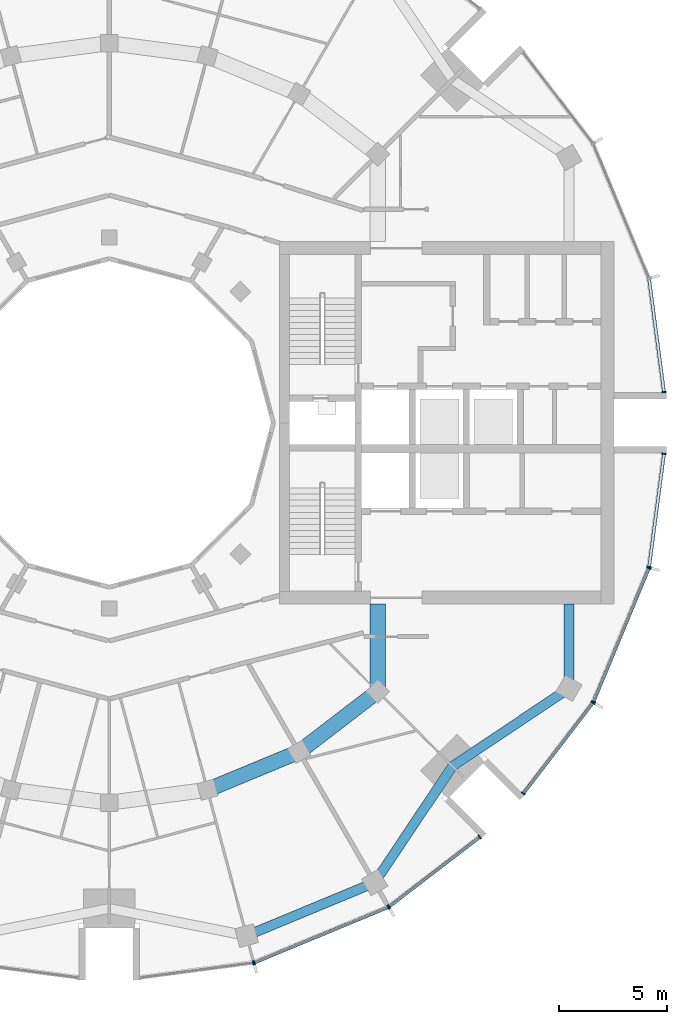
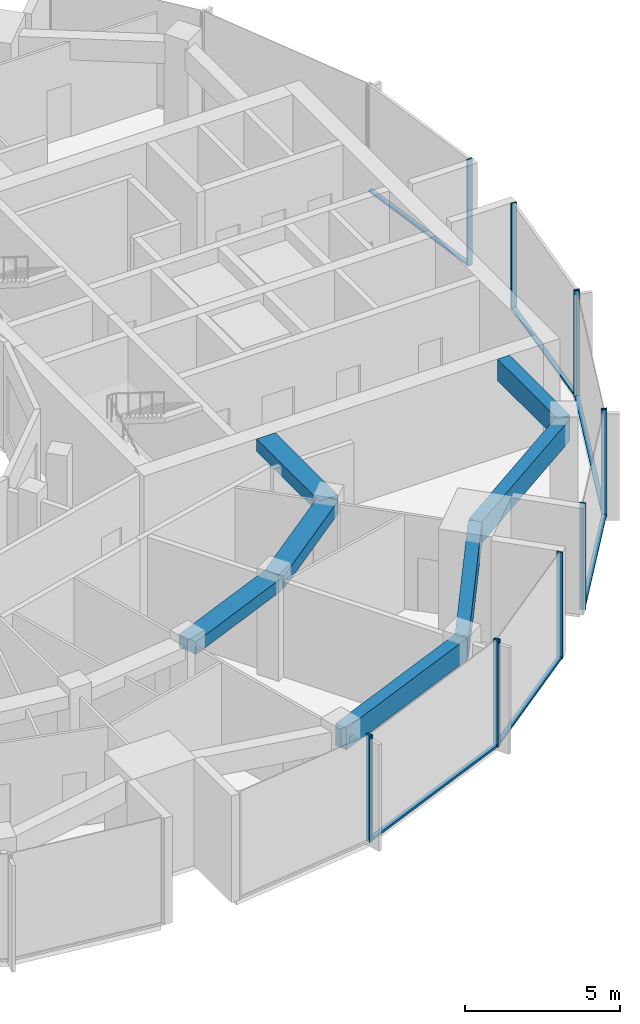
# One storey, part 4 of 15: 18 members, 7 beams, 7 elements without a shape of their own.
"""IFC4 building model written with IfcOpenShell, lengths in metres."""

from ifc_helpers import new_model, si_unit, direction, frame, origin, origin_2d, place, context, subcontext, project, spatial, rectangle, extrude, material, layer, layer_set, material_profile, profile_set, type_object, element, aggregate, save


model = new_model("IFC4")

# Units and contexts
model_context = context("Model", 3, precision=1e-05, world=origin(), true_north=direction((0.0, 1.0)))
body_context = subcontext(model_context, "Body", "Model", "MODEL_VIEW")
ifc_project = project(units=[si_unit("LENGTHUNIT", "METRE"), si_unit("AREAUNIT", "SQUARE_METRE"), si_unit("VOLUMEUNIT", "CUBIC_METRE"), si_unit("PLANEANGLEUNIT", "RADIAN"), si_unit("MASSUNIT", "GRAM", prefix="KILO")], contexts=[model_context])

# Site, building, storey
site_placement = place(None, origin())
site = spatial("IfcSite", under=ifc_project, at=site_placement, CompositionType="ELEMENT")
building_placement = place(site_placement, origin())
building = spatial("IfcBuilding", under=site, at=building_placement, Name="Torre Brocal", CompositionType="ELEMENT")
storey_placement = place(building_placement, frame((0.0, 0.0, 216.699951171875)))
storey = spatial("IfcBuildingStorey", under=building, at=storey_placement, Name="L50", CompositionType="ELEMENT", Elevation=216.699951171875)

# Curtain wall, member
ifc_material_1 = material(Name="Aluminium and glass", Category="aluminium")
ifc_layer_1 = layer(ifc_material_1, 0.199951171875)
ifc_layer_set_1 = layer_set([ifc_layer_1], Name="Aluminium and glass")
curtain_wall_type_1 = type_object("IfcCurtainWallType", Name="CW-1 CURTAIN WALL 4200 HIGH", PredefinedType="NOTDEFINED", material=ifc_layer_set_1)
curtain_wall_1_placement = place(storey_placement, origin())
curtain_wall_1 = element("IfcCurtainWall", 1, at=curtain_wall_1_placement, inside=storey, type_object=curtain_wall_type_1, Name="CW-1 RUN 19", PredefinedType="NOTDEFINED")
ifc_material_2 = material(Name="Aluminium, dark anodised", Category="aluminium")
ifc_material_profile_1 = material_profile(ifc_material_2, rectangle(XDim=0.199951171875, YDim=0.06005859375, at=origin_2d()), Name="CW-1 MULLION 60X200")
ifc_profile_set_1 = profile_set([ifc_material_profile_1], Name="Aluminium, dark anodised")
member_type_1 = type_object("IfcMemberType", Name="CW-1 MULLION 60X200", PredefinedType="MULLION", material=ifc_profile_set_1)
member_1_placement = place(storey_placement, frame((86.67333984375, 49.9794921875, 0.0), z_axis=(0.0, 0.0, 1.0), x_axis=(-0.13052619222, 0.991444861374, 0.0)))
member_1 = element("IfcMember", 2, at=member_1_placement, type_object=member_type_1, Name="CW1-5 mullion 2", PredefinedType="MULLION", context=body_context, shape_type="SweptSolid", body=[
    extrude(rectangle(XDim=0.199951171875, YDim=0.06005859375, at=origin_2d()), origin(), (0.0, 0.0, 1.0), 4.199951171875),
])
aggregate(curtain_wall_1, [member_1])

# Curtain wall, members
curtain_wall_2_placement = place(storey_placement, origin())
curtain_wall_2 = element("IfcCurtainWall", 3, at=curtain_wall_2_placement, inside=storey, type_object=curtain_wall_type_1, Name="CW-1 RUN 20", PredefinedType="NOTDEFINED")
member_2_placement = place(storey_placement, frame((86.73095703125, 49.994873046875, 0.0), z_axis=(0.0, 0.0, 1.0), x_axis=(-0.382683432333, 0.923879532525, 0.0)))
member_2 = element("IfcMember", 4, at=member_2_placement, type_object=member_type_1, Name="CW1-5 mullion 1", PredefinedType="MULLION", context=body_context, shape_type="SweptSolid", body=[
    extrude(rectangle(XDim=0.199951171875, YDim=0.06005859375, at=origin_2d()), origin(), (0.0, 0.0, 1.0), 4.199951171875),
])
member_3_placement = place(storey_placement, frame((92.921875, 52.559326171875, 0.0), z_axis=(0.0, 0.0, 1.0), x_axis=(-0.382683432333, 0.923879532525, 0.0)))
member_3 = element("IfcMember", 5, at=member_3_placement, type_object=member_type_1, Name="CW1-5 mullion 2", PredefinedType="MULLION", context=body_context, shape_type="SweptSolid", body=[
    extrude(rectangle(XDim=0.199951171875, YDim=0.06005859375, at=origin_2d()), origin(), (0.0, 0.0, 1.0), 4.199951171875),
])

curtain_wall_3_placement = place(storey_placement, origin())
curtain_wall_3 = element("IfcCurtainWall", 6, at=curtain_wall_3_placement, inside=storey, type_object=curtain_wall_type_1, Name="CW-1 RUN 21", PredefinedType="NOTDEFINED")
member_4_placement = place(storey_placement, frame((92.973388671875, 52.5888671875, 0.0), z_axis=(0.0, 0.0, 1.0), x_axis=(-0.60876142905, 0.793353340259, 0.0)))
member_4 = element("IfcMember", 7, at=member_4_placement, type_object=member_type_1, Name="CW1-5 mullion 1", PredefinedType="MULLION", context=body_context, shape_type="SweptSolid", body=[
    extrude(rectangle(XDim=0.199951171875, YDim=0.06005859375, at=origin_2d()), origin(), (0.0, 0.0, 1.0), 4.199951171875),
])
member_5_placement = place(storey_placement, frame((97.16943359375, 55.80859375, 0.0), z_axis=(0.0, 0.0, 1.0), x_axis=(-0.60876142905, 0.793353340259, 0.0)))
member_5 = element("IfcMember", 8, at=member_5_placement, type_object=member_type_1, Name="CW1-5 mullion 2", PredefinedType="MULLION", context=body_context, shape_type="SweptSolid", body=[
    extrude(rectangle(XDim=0.199951171875, YDim=0.06005859375, at=origin_2d()), origin(), (0.0, 0.0, 1.0), 4.199951171875),
])

curtain_wall_4_placement = place(storey_placement, origin())
curtain_wall_4 = element("IfcCurtainWall", 9, at=curtain_wall_4_placement, inside=storey, type_object=curtain_wall_type_1, Name="CW-1 RUN 22", PredefinedType="NOTDEFINED")
member_6_placement = place(storey_placement, frame((99.19140625, 57.83056640625, 0.0), z_axis=(0.0, 0.0, 1.0), x_axis=(-0.793353340259, 0.60876142905, 0.0)))
member_6 = element("IfcMember", 10, at=member_6_placement, type_object=member_type_1, Name="CW1-5 mullion 1", PredefinedType="MULLION", context=body_context, shape_type="SweptSolid", body=[
    extrude(rectangle(XDim=0.199951171875, YDim=0.06005859375, at=origin_2d()), origin(), (0.0, 0.0, 1.0), 4.199951171875),
])
member_7_placement = place(storey_placement, frame((102.4111328125, 62.026611328125, 0.0), z_axis=(0.0, 0.0, 1.0), x_axis=(-0.793353340259, 0.60876142905, 0.0)))
member_7 = element("IfcMember", 11, at=member_7_placement, type_object=member_type_1, Name="CW1-5 mullion 2", PredefinedType="MULLION", context=body_context, shape_type="SweptSolid", body=[
    extrude(rectangle(XDim=0.199951171875, YDim=0.06005859375, at=origin_2d()), origin(), (0.0, 0.0, 1.0), 4.199951171875),
])

curtain_wall_5_placement = place(storey_placement, origin())
curtain_wall_5 = element("IfcCurtainWall", 12, at=curtain_wall_5_placement, inside=storey, type_object=curtain_wall_type_1, Name="CW-1 RUN 23", PredefinedType="NOTDEFINED")
member_8_placement = place(storey_placement, frame((102.440673828125, 62.078125, 0.0), z_axis=(0.0, 0.0, 1.0), x_axis=(-0.923879532525, 0.382683432333, 0.0)))
member_8 = element("IfcMember", 13, at=member_8_placement, type_object=member_type_1, Name="CW1-5 mullion 1", PredefinedType="MULLION", context=body_context, shape_type="SweptSolid", body=[
    extrude(rectangle(XDim=0.199951171875, YDim=0.06005859375, at=origin_2d()), origin(), (0.0, 0.0, 1.0), 4.199951171875),
])
member_9_placement = place(storey_placement, frame((105.005126953125, 68.26904296875, 0.0), z_axis=(0.0, 0.0, 1.0), x_axis=(-0.923879532525, 0.382683432333, 0.0)))
member_9 = element("IfcMember", 14, at=member_9_placement, type_object=member_type_1, Name="CW1-5 mullion 2", PredefinedType="MULLION", context=body_context, shape_type="SweptSolid", body=[
    extrude(rectangle(XDim=0.199951171875, YDim=0.06005859375, at=origin_2d()), origin(), (0.0, 0.0, 1.0), 4.199951171875),
])

# Member
ifc_material_3 = material(Name="Aluminium, dark anodised", Category="aluminium")
ifc_material_profile_2 = material_profile(ifc_material_3, rectangle(XDim=0.159912109375, YDim=0.080078125, at=origin_2d()), Name="CW-1 TRANSOM 160X80")
ifc_profile_set_2 = profile_set([ifc_material_profile_2], Name="Aluminium, dark anodised")
member_type_2 = type_object("IfcMemberType", Name="CW-1 TRANSOM 160X80", PredefinedType="USERDEFINED", material=ifc_profile_set_2)
member_10_placement = place(storey_placement, frame((86.758544921875, 50.00634765625, 0.0400390625), z_axis=(0.923887344364, 0.38266457234, 0.0), x_axis=(-0.38266457234, 0.923887344364, 0.0)))
member_10 = element("IfcMember", 15, at=member_10_placement, type_object=member_type_2, Name="CW1-5 transom 1.1", ObjectType="TRANSOM", PredefinedType="USERDEFINED", context=body_context, shape_type="SweptSolid", body=[
    extrude(rectangle(XDim=0.159912109375, YDim=0.080078125, at=origin_2d()), origin(), (0.0, 0.0, 1.0), 6.640869140625),
])

aggregate(curtain_wall_2, [member_2, member_3, member_10])

member_11_placement = place(storey_placement, frame((92.9970703125, 52.607177734375, 0.0400390625), z_axis=(0.79336281513, 0.60874908096, 0.0), x_axis=(-0.60874908096, 0.79336281513, 0.0)))
member_11 = element("IfcMember", 16, at=member_11_placement, type_object=member_type_2, Name="CW1-5 transom 1.1", ObjectType="TRANSOM", PredefinedType="USERDEFINED", context=body_context, shape_type="SweptSolid", body=[
    extrude(rectangle(XDim=0.159912109375, YDim=0.080078125, at=origin_2d()), origin(), (0.0, 0.0, 1.0), 5.22900390625),
])

aggregate(curtain_wall_3, [member_4, member_5, member_11])

member_12_placement = place(storey_placement, frame((99.209716796875, 57.8544921875, 0.0400390625), z_axis=(0.60874908096, 0.79336281513, 0.0), x_axis=(-0.79336281513, 0.60874908096, 0.0)))
member_12 = element("IfcMember", 17, at=member_12_placement, type_object=member_type_2, Name="CW1-5 transom 1.1", ObjectType="TRANSOM", PredefinedType="USERDEFINED", context=body_context, shape_type="SweptSolid", body=[
    extrude(rectangle(XDim=0.159912109375, YDim=0.080078125, at=origin_2d()), origin(), (0.0, 0.0, 1.0), 5.22900390625),
])

aggregate(curtain_wall_4, [member_6, member_7, member_12])

member_13_placement = place(storey_placement, frame((102.452392578125, 62.10595703125, 0.0400390625), z_axis=(0.38266457234, 0.923887344364, 0.0), x_axis=(-0.923887344364, 0.38266457234, 0.0)))
member_13 = element("IfcMember", 18, at=member_13_placement, type_object=member_type_2, Name="CW1-5 transom 1.1", ObjectType="TRANSOM", PredefinedType="USERDEFINED", context=body_context, shape_type="SweptSolid", body=[
    extrude(rectangle(XDim=0.159912109375, YDim=0.080078125, at=origin_2d()), origin(), (0.0, 0.0, 1.0), 6.640869140625),
])

aggregate(curtain_wall_5, [member_8, member_9, member_13])

# Curtain wall, member
ifc_material_4 = material(Name="Aluminium and glass", Category="aluminium")
ifc_layer_2 = layer(ifc_material_4, 0.199951171875)
ifc_layer_set_2 = layer_set([ifc_layer_2], Name="Aluminium and glass")
curtain_wall_type_2 = type_object("IfcCurtainWallType", Name="CW-1B CURTAIN WALL 4200 HIGH", PredefinedType="NOTDEFINED", material=ifc_layer_set_2)
curtain_wall_6_placement = place(storey_placement, origin())
curtain_wall_6 = element("IfcCurtainWall", 19, at=curtain_wall_6_placement, inside=storey, type_object=curtain_wall_type_2, Name="CW-1B RUN 1", PredefinedType="NOTDEFINED")
ifc_material_5 = material(Name="Aluminium, dark anodised", Category="aluminium")
ifc_material_profile_3 = material_profile(ifc_material_5, rectangle(XDim=0.199951171875, YDim=0.06005859375, at=origin_2d()), Name="CW-1B MULLION 60X200")
ifc_profile_set_3 = profile_set([ifc_material_profile_3], Name="Aluminium, dark anodised")
member_type_3 = type_object("IfcMemberType", Name="CW-1B MULLION 60X200", PredefinedType="MULLION", material=ifc_profile_set_3)
member_14_placement = place(storey_placement, frame((105.7109375, 76.4296875, 0.0), z_axis=(0.0, 0.0, 1.0), x_axis=(-0.991444861374, -0.13052619222, 0.0)))
member_14 = element("IfcMember", 20, at=member_14_placement, type_object=member_type_3, Name="CW1B-5 mullion 1", PredefinedType="MULLION", context=body_context, shape_type="SweptSolid", body=[
    extrude(rectangle(XDim=0.199951171875, YDim=0.06005859375, at=origin_2d()), origin(), (0.0, 0.0, 1.0), 4.199951171875),
])

# Curtain wall, members
curtain_wall_7_placement = place(storey_placement, origin())
curtain_wall_7 = element("IfcCurtainWall", 21, at=curtain_wall_7_placement, inside=storey, type_object=curtain_wall_type_2, Name="CW-1B RUN 24", PredefinedType="NOTDEFINED")
member_15_placement = place(storey_placement, frame((105.0205078125, 68.32666015625, 0.0), z_axis=(0.0, 0.0, 1.0), x_axis=(-0.991444861374, 0.13052619222, 0.0)))
member_15 = element("IfcMember", 22, at=member_15_placement, type_object=member_type_3, Name="CW1B-5 mullion 1", PredefinedType="MULLION", context=body_context, shape_type="SweptSolid", body=[
    extrude(rectangle(XDim=0.199951171875, YDim=0.06005859375, at=origin_2d()), origin(), (0.0, 0.0, 1.0), 4.199951171875),
])
member_16_placement = place(storey_placement, frame((105.7109375, 73.5703125, 0.0), z_axis=(0.0, 0.0, 1.0), x_axis=(-0.991444861374, 0.13052619222, 0.0)))
member_16 = element("IfcMember", 23, at=member_16_placement, type_object=member_type_3, Name="CW1B-5 mullion 2", PredefinedType="MULLION", context=body_context, shape_type="SweptSolid", body=[
    extrude(rectangle(XDim=0.199951171875, YDim=0.06005859375, at=origin_2d()), origin(), (0.0, 0.0, 1.0), 4.199951171875),
])

# Member
ifc_material_6 = material(Name="Aluminium, dark anodised", Category="aluminium")
ifc_material_profile_4 = material_profile(ifc_material_6, rectangle(XDim=0.159912109375, YDim=0.080078125, at=origin_2d()), Name="CW-1B TRANSOM 160X80")
ifc_profile_set_4 = profile_set([ifc_material_profile_4], Name="Aluminium, dark anodised")
member_type_4 = type_object("IfcMemberType", Name="CW-1B TRANSOM 160X80", PredefinedType="USERDEFINED", material=ifc_profile_set_4)
member_17_placement = place(storey_placement, frame((105.70703125, 76.45947265625, 0.0400390625), z_axis=(-0.130542677827, 0.991442690863, 0.0), x_axis=(-0.991442690863, -0.130542677827, 0.0)))
member_17 = element("IfcMember", 24, at=member_17_placement, type_object=member_type_4, Name="CW1B-5 transom 1.1", ObjectType="TRANSOM", PredefinedType="USERDEFINED", context=body_context, shape_type="SweptSolid", body=[
    extrude(rectangle(XDim=0.159912109375, YDim=0.080078125, at=origin_2d()), origin(), (0.0, 0.0, 1.0), 5.22900390625),
])

aggregate(curtain_wall_6, [member_14, member_17])

member_18_placement = place(storey_placement, frame((105.0244140625, 68.356201171875, 0.0400390625), z_axis=(0.130542677827, 0.991442690863, 0.0), x_axis=(-0.991442690863, 0.130542677827, 0.0)))
member_18 = element("IfcMember", 25, at=member_18_placement, type_object=member_type_4, Name="CW1B-5 transom 1.1", ObjectType="TRANSOM", PredefinedType="USERDEFINED", context=body_context, shape_type="SweptSolid", body=[
    extrude(rectangle(XDim=0.159912109375, YDim=0.080078125, at=origin_2d()), origin(), (0.0, 0.0, 1.0), 5.22900390625),
])

aggregate(curtain_wall_7, [member_15, member_16, member_18])

# Beams
ifc_material_7 = material(Name="Concrete C50", Category="concrete")
ifc_material_profile_5 = material_profile(ifc_material_7, rectangle(XDim=0.699951171875, YDim=0.5, at=origin_2d()), Name="RC 700X500")
ifc_profile_set_5 = profile_set([ifc_material_profile_5], Name="Concrete C50")
beam_type_1 = type_object("IfcBeamType", Name="RC BEAM 700X500 C50 TOP 3880", PredefinedType="BEAM", material=ifc_profile_set_5)
beam_1_placement = place(storey_placement, frame((84.55517578125, 57.999755859375, 3.630126953125), z_axis=(0.923878240166, 0.382686552348, 0.0), x_axis=(-0.382686552348, 0.923878240166, 0.0)))
element("IfcBeam", 26, at=beam_1_placement, inside=storey, type_object=beam_type_1, Name="Beam BT-37", PredefinedType="BEAM", context=body_context, shape_type="SweptSolid", body=[
    extrude(rectangle(XDim=0.699951171875, YDim=0.5, at=origin_2d()), origin(), (0.0, 0.0, 1.0), 4.5947265625),
])
beam_2_placement = place(storey_placement, frame((88.800048828125, 59.758056640625, 3.630126953125), z_axis=(0.793358265959, 0.6087550097, 0.0), x_axis=(-0.6087550097, 0.793358265959, 0.0)))
element("IfcBeam", 27, at=beam_2_placement, inside=storey, type_object=beam_type_1, Name="Beam BT-37", PredefinedType="BEAM", context=body_context, shape_type="SweptSolid", body=[
    extrude(rectangle(XDim=0.699951171875, YDim=0.5, at=origin_2d()), origin(), (0.0, 0.0, 1.0), 4.594482421875),
])
beam_3_placement = place(storey_placement, frame((92.445068359375, 62.554931640625, 3.630126953125), z_axis=(0.0, 1.0, 0.0), x_axis=(-1.0, 0.0, 0.0)))
element("IfcBeam", 28, at=beam_3_placement, inside=storey, type_object=beam_type_1, Name="Beam BT-37", PredefinedType="BEAM", context=body_context, shape_type="SweptSolid", body=[
    extrude(rectangle(XDim=0.699951171875, YDim=0.5, at=origin_2d()), origin(), (0.0, 0.0, 1.0), 4.045166015625),
])
ifc_material_8 = material(Name="Concrete C50", Category="concrete")
ifc_material_profile_6 = material_profile(ifc_material_8, rectangle(XDim=0.449951171875, YDim=0.85009765625, at=origin_2d()), Name="RC 450X850")
ifc_profile_set_6 = profile_set([ifc_material_profile_6], Name="Concrete C50")
beam_type_2 = type_object("IfcBeamType", Name="RC SPANDREL BEAM 450X850 C50 TOP 3880", PredefinedType="SPANDREL", material=ifc_profile_set_6)
beam_4_placement = place(storey_placement, frame((86.366943359375, 51.23828125, 3.455078125), z_axis=(0.923882462513, 0.382676358639, 0.0), x_axis=(-0.382676358639, 0.923882462513, 0.0)))
element("IfcBeam", 29, at=beam_4_placement, inside=storey, type_object=beam_type_2, Name="Beam BT-38", PredefinedType="SPANDREL", context=body_context, shape_type="SweptSolid", body=[
    extrude(rectangle(XDim=0.449951171875, YDim=0.85009765625, at=origin_2d()), origin(), (0.0, 0.0, 1.0), 6.421875),
])
for number, where, z_axis, x_axis, name in (
    (30, (92.300048828125, 53.69580078125, 3.455078125), (0.556157602282, 0.831076844476, 0.0), (-0.831076844476, 0.556157602282, 0.0), "Beam BT-38"),
    (31, (95.909912109375, 59.090087890625, 3.455078125), (0.831076844476, 0.556157602282, 0.0), (-0.556157602282, 0.831076844476, 0.0), "Beam BT-38"),
):
    element("IfcBeam", number, at=place(storey_placement, frame(where, z_axis=z_axis, x_axis=x_axis)), inside=storey, type_object=beam_type_2, Name=name, PredefinedType="SPANDREL", context=body_context, shape_type="SweptSolid", body=[
        extrude(rectangle(XDim=0.449951171875, YDim=0.85009765625, at=origin_2d()), origin(), (0.0, 0.0, 1.0), 6.49072265625),
    ])
beam_5_placement = place(storey_placement, frame((101.30419921875, 62.699951171875, 3.455078125), z_axis=(0.0, 1.0, 0.0), x_axis=(-1.0, 0.0, 0.0)))
element("IfcBeam", 32, at=beam_5_placement, inside=storey, type_object=beam_type_2, Name="Beam BT-38", PredefinedType="SPANDREL", context=body_context, shape_type="SweptSolid", body=[
    extrude(rectangle(XDim=0.449951171875, YDim=0.85009765625, at=origin_2d()), origin(), (0.0, 0.0, 1.0), 3.900146484375),
])

save(model, "model.ifc")
